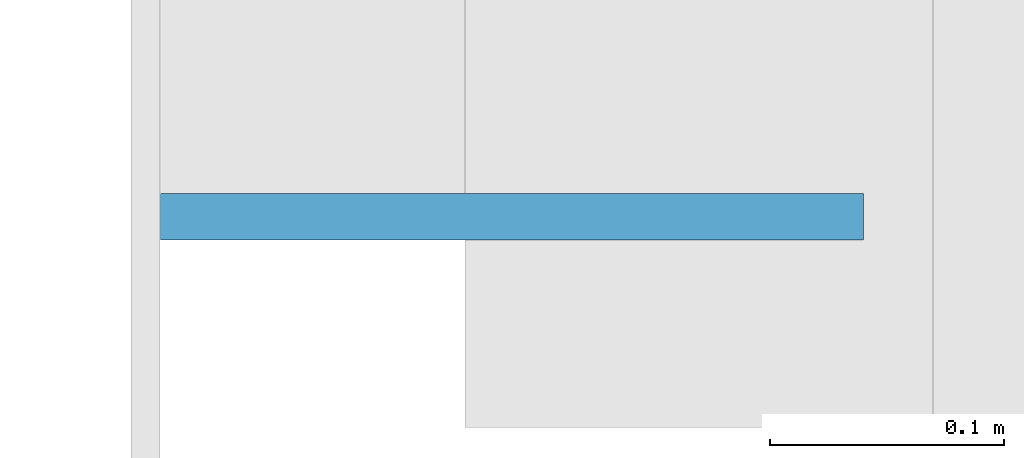
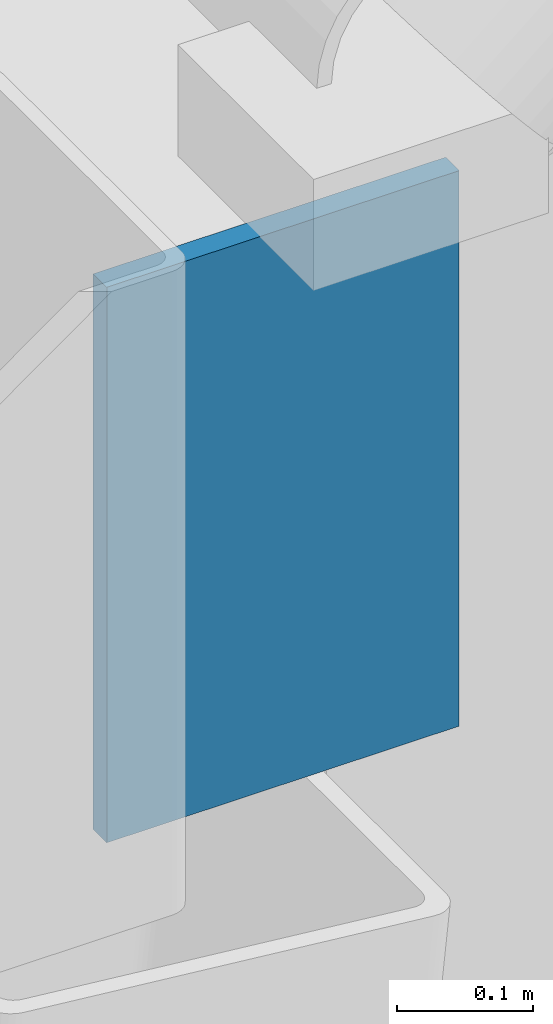
# One storey, part 99 of 141: 1 plate.
"""IFC4 building model written with IfcOpenShell, lengths in metres."""

import ifcopenshell
import ifcopenshell.guid

model = None  # the IFC model being written
_history = None  # IfcOwnerHistory: only IFC2X3 demands one
_inside = {}  # id of a spatial element -> (the spatial element, [elements in it])
_under = {}  # id of a project, library or spatial element -> (it, [spatial elements below it])
_declared = {}  # id of a project -> (the project, [libraries it declares])
_typed = {}  # id of a type object -> (the type object, [elements of that type])
_made_of = {}  # id of a material, layer set ... -> (it, [elements and type objects made of it])


def new_model(schema):
    """Start an empty IFC model of exactly this schema.

    Asked for "IFC4X3", IfcOpenShell would pick the latest addendum, in which some entities
    have other attributes; the version numbers below select the first issue.
    IFC2X3 requires an IfcOwnerHistory on every rooted entity: one is made here for all.
    """
    global model, _history
    if schema == "IFC4X3":
        model = ifcopenshell.file(schema_version=(4, 3, 0, 0))
    else:
        model = ifcopenshell.file(schema=schema)
    _inside.clear()
    _under.clear()
    _declared.clear()
    _typed.clear()
    _made_of.clear()
    _history = None
    if model.schema == "IFC2X3":
        org = make("IfcOrganization", Name="unknown")
        user = make(
            "IfcPersonAndOrganization",
            ThePerson=make("IfcPerson", FamilyName="unknown"),
            TheOrganization=org,
        )
        app = make(
            "IfcApplication",
            ApplicationDeveloper=org,
            Version="unknown",
            ApplicationFullName="unknown",
            ApplicationIdentifier="unknown",
        )
        _history = make(
            "IfcOwnerHistory",
            OwningUser=user,
            OwningApplication=app,
            ChangeAction="ADDED",
            CreationDate=0,
        )
    return model


def make(cls, **values):
    """One entity of the class cls with the attributes given. An attribute that is None is left unset."""
    return model.create_entity(
        cls, **{name: value for name, value in values.items() if value is not None}
    )


def rooted(cls, **values):
    """An entity with a GlobalId (a new one), such as an element, a storey or a relation."""
    return make(cls, GlobalId=ifcopenshell.guid.new(), OwnerHistory=_history, **values)


def si_unit(unit_type, name, prefix=None):
    """IfcSIUnit, for example si_unit("LENGTHUNIT", "METRE", prefix="MILLI")."""
    return make("IfcSIUnit", UnitType=unit_type, Prefix=prefix, Name=name)


def assignment(units):
    """IfcUnitAssignment: the units of a project."""
    return None if units is None else make("IfcUnitAssignment", Units=units)


def point(xyz):
    """IfcCartesianPoint."""
    return None if xyz is None else make("IfcCartesianPoint", Coordinates=xyz)


def direction(xyz):
    """IfcDirection."""
    return None if xyz is None else make("IfcDirection", DirectionRatios=xyz)


def frame(location, z_axis=None, x_axis=None):
    """IfcAxis2Placement3D, a coordinate frame: its origin and axes. An axis left out is left unset."""
    return make(
        "IfcAxis2Placement3D",
        Location=point(location),
        Axis=direction(z_axis),
        RefDirection=direction(x_axis),
    )


def frame_2d(location, x_axis=None):
    """IfcAxis2Placement2D, a coordinate frame in the plane: its origin and x axis."""
    return make(
        "IfcAxis2Placement2D", Location=point(location), RefDirection=direction(x_axis)
    )


def origin():
    """The frame at (0, 0, 0) with its axes left unset."""
    return frame((0.0, 0.0, 0.0))


def origin_2d():
    """The frame at (0, 0) in the plane with its x axis left unset."""
    return frame_2d((0.0, 0.0))


def place(relative_to, where):
    """IfcLocalPlacement: puts the frame where relative to a parent placement (None: the world)."""
    return make(
        "IfcLocalPlacement", PlacementRelTo=relative_to, RelativePlacement=where
    )


def context(
    kind, dimensions, precision=None, world=None, true_north=None, identifier=None
):
    """IfcGeometricRepresentationContext, for example the 3D "Model" context."""
    return make(
        "IfcGeometricRepresentationContext",
        ContextIdentifier=identifier,
        ContextType=kind,
        CoordinateSpaceDimension=dimensions,
        Precision=precision,
        WorldCoordinateSystem=world,
        TrueNorth=true_north,
    )


def subcontext(parent, identifier, kind, view, scale=None):
    """IfcGeometricRepresentationSubContext, for example "Body" below "Model"."""
    return make(
        "IfcGeometricRepresentationSubContext",
        ContextIdentifier=identifier,
        ContextType=kind,
        ParentContext=parent,
        TargetScale=scale,
        TargetView=view,
    )


def project(units=None, contexts=None):
    """IfcProject with its units and contexts."""
    return rooted(
        "IfcProject",
        Name="project",
        RepresentationContexts=contexts,
        UnitsInContext=assignment(units),
    )


def spatial(cls, under=None, at=None, **own):
    """A site, building, storey or space (cls), placed at a placement, below another one or the project."""
    s = rooted(cls, ObjectPlacement=at, **own)
    if under is not None:
        _under.setdefault(under.id(), (under, []))[1].append(s)
    return s


def profile(cls, at=None, kind="AREA", **sizes):
    """A parametric profile (cls). Its sizes go by their IFC names, for example OverallWidth=200.0."""
    return make(cls, ProfileType=kind, Position=at, **sizes)


def rectangle(**sizes):
    """IfcRectangleProfileDef."""
    return profile("IfcRectangleProfileDef", **sizes)


def extrude(swept, where, along, depth):
    """IfcExtrudedAreaSolid: the profile swept, set in the frame where, extruded along a direction by depth."""
    return make(
        "IfcExtrudedAreaSolid",
        SweptArea=swept,
        Position=where,
        ExtrudedDirection=direction(along),
        Depth=depth,
    )


def shape(context_of_items, identifier, shape_type, items):
    """IfcShapeRepresentation: the items that make up one representation, for example the "Body"."""
    return make(
        "IfcShapeRepresentation",
        ContextOfItems=context_of_items,
        RepresentationIdentifier=identifier,
        RepresentationType=shape_type,
        Items=items,
    )


def material(Name=None, Category=None):
    """IfcMaterial."""
    return make("IfcMaterial", Name=Name, Category=Category)


def layer(
    of_material, thickness, ventilated=None, Name=None, Category=None, Priority=None
):
    """IfcMaterialLayer: one layer of a wall or slab, of a material (None: an air gap)."""
    return make(
        "IfcMaterialLayer",
        Material=of_material,
        LayerThickness=thickness,
        IsVentilated=ventilated,
        Name=Name,
        Category=Category,
        Priority=Priority,
    )


def layer_set(layers, Name=None):
    """IfcMaterialLayerSet."""
    return make("IfcMaterialLayerSet", MaterialLayers=layers, LayerSetName=Name)


def made_of(thing, what):
    """Note that an element or type object is made of a material, layer set ...; save() writes the relation."""
    if what is not None:
        _made_of.setdefault(what.id(), (what, []))[1].append(thing)
    return thing


def type_object(cls, material=None, **own):
    """A type object (cls), such as IfcWallType, which elements share."""
    return made_of(rooted(cls, **own), material)


def element(
    cls,
    number,
    at=None,
    inside=None,
    cuts=None,
    type_object=None,
    material=None,
    context=None,
    identifier="Body",
    shape_type=None,
    held_by="IfcProductDefinitionShape",
    body=None,
    shapes=None,
    **own,
):
    """One element of the class cls, such as IfcWall. Its Tag is "e" and its number.

    at: its placement. inside: the storey or other place that contains it. cuts: it is an
    opening in that element (IfcRelVoidsElement). A single representation is given by context,
    identifier, shape_type and body (its items); several are given by shapes. held_by: the class
    of the entity that holds the representations. save() writes the other relations.
    """
    e = rooted(cls, Tag="e%d" % number, ObjectPlacement=at, **own)
    if body is not None:
        shapes = [shape(context, identifier, shape_type, body)]
    if shapes is not None:
        e.Representation = make(held_by, Representations=shapes)
    if inside is not None:
        _inside.setdefault(inside.id(), (inside, []))[1].append(e)
    if cuts is not None:
        rooted(
            "IfcRelVoidsElement", RelatingBuildingElement=cuts, RelatedOpeningElement=e
        )
    if type_object is not None:
        _typed.setdefault(type_object.id(), (type_object, []))[1].append(e)
    return made_of(e, material)


def aggregate(whole, parts):
    """IfcRelAggregates: a whole, such as a stair, and the parts it consists of."""
    return rooted("IfcRelAggregates", RelatingObject=whole, RelatedObjects=parts)


def save(model, path):
    """Write the relations noted so far, then the file.

    IfcRelAggregates (storeys below a building ...), IfcRelContainedInSpatialStructure (elements
    in a storey), IfcRelDefinesByType, IfcRelAssociatesMaterial and IfcRelDeclares: one each for
    every whole, place, type object, material and project.
    """
    for whole, parts in _under.values():
        aggregate(whole, parts)
    for where, things in _inside.values():
        rooted(
            "IfcRelContainedInSpatialStructure",
            RelatedElements=things,
            RelatingStructure=where,
        )
    for kind, things in _typed.values():
        rooted("IfcRelDefinesByType", RelatedObjects=things, RelatingType=kind)
    for what, things in _made_of.values():
        rooted("IfcRelAssociatesMaterial", RelatedObjects=things, RelatingMaterial=what)
    for by, libraries in _declared.values():
        rooted("IfcRelDeclares", RelatingContext=by, RelatedDefinitions=libraries)
    model.write(path)


model = new_model("IFC4")

# Units and contexts
model_context = context("Model", 3, precision=1e-05, world=origin(), true_north=direction((0.0, 1.0)))
body_context = subcontext(model_context, "Body", "Model", "MODEL_VIEW")
ifc_project = project(units=[si_unit("LENGTHUNIT", "METRE"), si_unit("AREAUNIT", "SQUARE_METRE"), si_unit("VOLUMEUNIT", "CUBIC_METRE"), si_unit("PLANEANGLEUNIT", "RADIAN"), si_unit("MASSUNIT", "GRAM", prefix="KILO")], contexts=[model_context])

# Site, building, storey
site_placement = place(None, origin())
site = spatial("IfcSite", under=ifc_project, at=site_placement, CompositionType="ELEMENT")
building_placement = place(site_placement, origin())
building = spatial("IfcBuilding", under=site, at=building_placement, Name="Lantern Court Media Centre", CompositionType="ELEMENT")
storey_placement = place(building_placement, frame((0.0, 0.0, 9.60009765625)))
storey = spatial("IfcBuildingStorey", under=building, at=storey_placement, Name="L02", CompositionType="ELEMENT", Elevation=9.60009765625)

# Plate
ifc_material = material(Name="Steel S355J2 (EN 10025-2)", Category="steel")
ifc_layer = layer(ifc_material, 0.02001953125)
ifc_layer_set = layer_set([ifc_layer], Name="Steel S355J2 (EN 10025-2)")
plate_type = type_object("IfcPlateType", Name="Steel end plate 20", PredefinedType="SHEET", material=ifc_layer_set)
plate_placement = place(storey_placement, frame((71.85009765625, -2.010009765625, 4.199951171875), z_axis=(0.0, 0.0, 1.0), x_axis=(1.0, 0.0, 0.0)))
element("IfcPlate", 1, at=plate_placement, inside=storey, type_object=plate_type, Name="Studio Hall edge girder end plate west south", PredefinedType="SHEET", context=body_context, shape_type="SweptSolid", body=[
    extrude(rectangle(XDim=0.300048828125, YDim=0.02001953125, at=origin_2d()), origin(), (0.0, 0.0, 1.0), 0.5),
])

save(model, "model.ifc")
